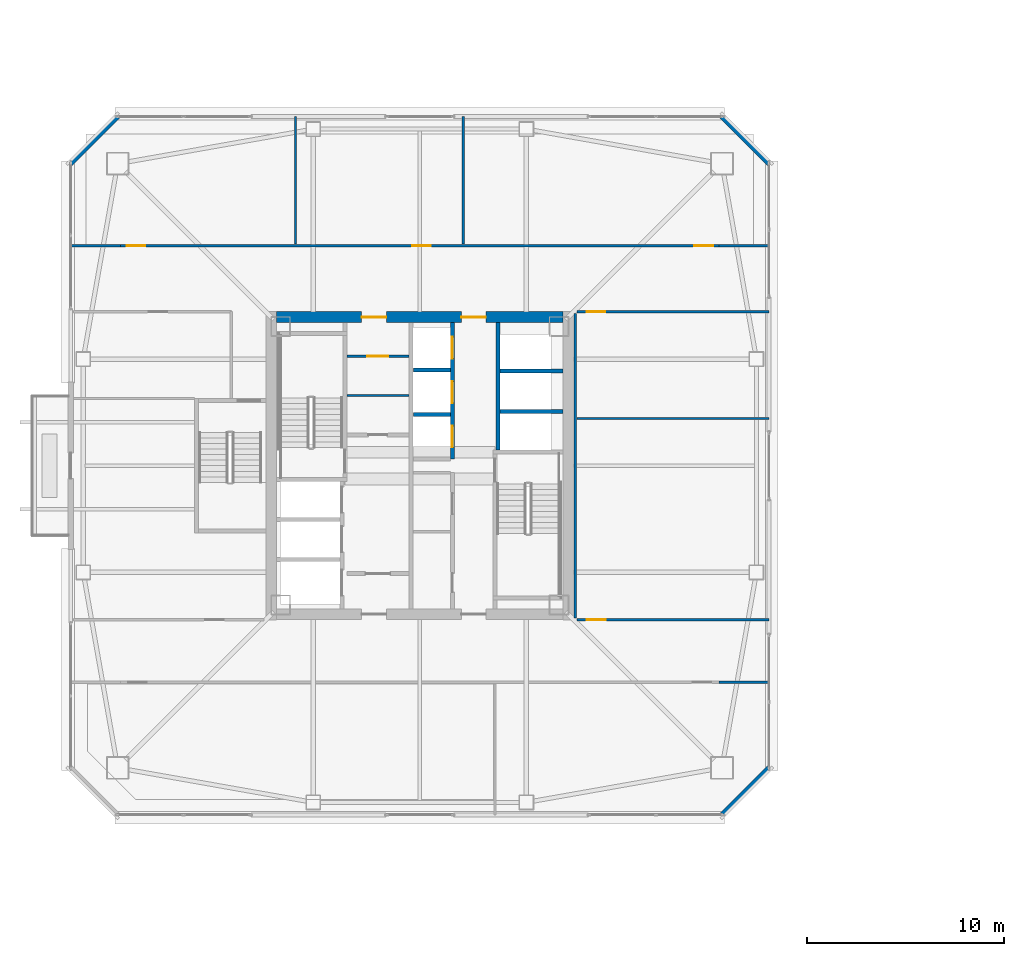
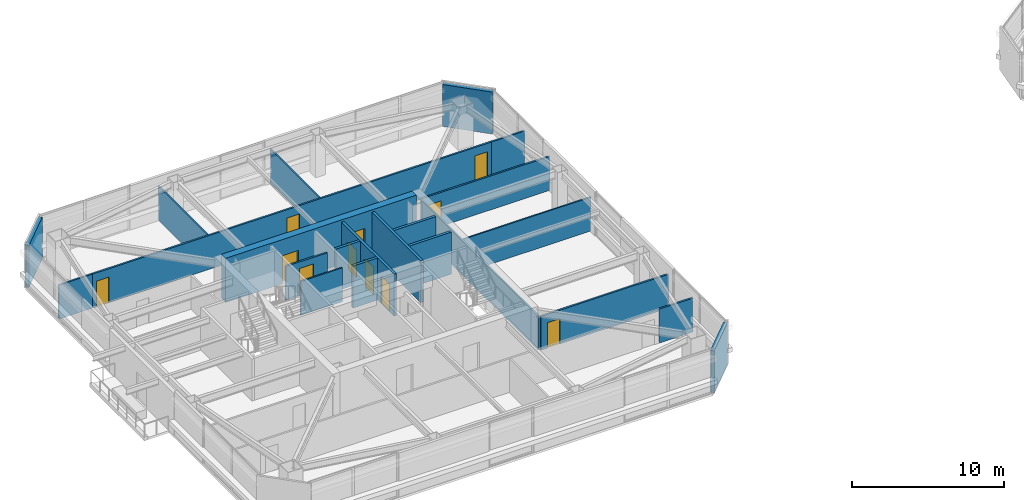
# One storey, part 34 of 43: 22 walls, 11 doors, 11 openings.
"""IFC4 building model written with IfcOpenShell, lengths in metres."""

from ifc_helpers import new_model, si_unit, direction, frame, frame_2d, origin, place, context, subcontext, project, spatial, rectangle, extrude, material, layer, layer_set, type_object, element, fill, save


model = new_model("IFC4")

# Units and contexts
model_context = context("Model", 3, precision=1e-05, world=origin(), true_north=direction((0.0, 1.0)))
body_context = subcontext(model_context, "Body", "Model", "MODEL_VIEW")
ifc_project = project(units=[si_unit("LENGTHUNIT", "METRE"), si_unit("AREAUNIT", "SQUARE_METRE"), si_unit("VOLUMEUNIT", "CUBIC_METRE"), si_unit("PLANEANGLEUNIT", "RADIAN"), si_unit("MASSUNIT", "GRAM", prefix="KILO")], contexts=[model_context])

# Site, building, storey
site_placement = place(None, origin())
site = spatial("IfcSite", under=ifc_project, at=site_placement, CompositionType="ELEMENT")
building_placement = place(site_placement, origin())
building = spatial("IfcBuilding", under=site, at=building_placement, Name="Tashvorn Skyway Center", CompositionType="ELEMENT")
storey_placement = place(building_placement, frame((0.0, 0.0, 185.39990234375)))
storey = spatial("IfcBuildingStorey", under=building, at=storey_placement, Name="L50", CompositionType="ELEMENT", Elevation=185.39990234375)

# Wall, openings, doors
ifc_material_1 = material(Name="Concrete C60/75", Category="concrete")
ifc_layer_1 = layer(ifc_material_1, 0.550048828125)
ifc_layer_set_1 = layer_set([ifc_layer_1], Name="Concrete C60/75")
wall_type_1 = type_object("IfcWallType", Name="WALL-CORE-550", PredefinedType="SHEAR", material=ifc_layer_set_1)
wall_1_placement = place(storey_placement, frame((34.75, 39.52490234375, 0.0), z_axis=(0.0, 0.0, 1.0), x_axis=(1.0, 0.0, 0.0)))
wall_1 = element("IfcWall", 1, at=wall_1_placement, inside=storey, type_object=wall_type_1, Name="Tower 1 L50 North Core Shear Wall", PredefinedType="SHEAR", context=body_context, shape_type="SweptSolid", body=[
    extrude(rectangle(XDim=14.5, YDim=0.550048828125, at=frame_2d((7.25, 0.0))), origin(), (0.0, 0.0, 1.0), 3.550048828125),
])
opening_1_placement = place(wall_1_placement, frame((4.300048828125, 0.0, 0.0)))
opening_1 = element("IfcOpeningElement", 2, at=opening_1_placement, cuts=wall_1, Name="Opening D-FFL-1250", PredefinedType="OPENING", context=body_context, shape_type="SweptSolid", body=[
    extrude(rectangle(XDim=1.25, YDim=2.25, at=frame_2d((0.625, 1.125))), frame((0.0, 0.284912109375, 0.0), z_axis=(0.0, -1.0, 0.0), x_axis=(1.0, 0.0, 0.0)), (0.0, 0.0, 1.0), 0.570068359375),
])
opening_2_placement = place(wall_1_placement, frame((9.35009765625, 0.0, 0.0)))
opening_2 = element("IfcOpeningElement", 3, at=opening_2_placement, cuts=wall_1, Name="Opening D-FFL-1250", PredefinedType="OPENING", context=body_context, shape_type="SweptSolid", body=[
    extrude(rectangle(XDim=1.25, YDim=2.25, at=frame_2d((0.625, 1.125))), frame((0.0, 0.284912109375, 0.0), z_axis=(0.0, -1.0, 0.0), x_axis=(1.0, 0.0, 0.0)), (0.0, 0.0, 1.0), 0.570068359375),
])
ifc_material_2 = material(Name="Hollow galvanized steel fire door assembly", Category="steel")
door_type_1 = type_object("IfcDoorType", Name="DOOR-FFL-1250", OperationType="NOTDEFINED", PredefinedType="DOOR", material=ifc_material_2)
door_1_placement = place(opening_1_placement, origin())
door_1 = element("IfcDoor", 4, at=door_1_placement, inside=storey, type_object=door_type_1, Name="Tower 1 L50 Core North Service Lobby Door", OperationType="SINGLE_SWING_LEFT", OverallHeight=2.25, OverallWidth=1.25, PredefinedType="DOOR", context=body_context, shape_type="SweptSolid", body=[
    extrude(rectangle(XDim=1.25, YDim=2.25, at=frame_2d((0.625, 1.125))), frame((0.0, 0.02490234375, 0.0), z_axis=(0.0, -1.0, 0.0), x_axis=(1.0, 0.0, 0.0)), (0.0, 0.0, 1.0), 0.050048828125),
])
fill(opening_1, door_1)
door_2_placement = place(opening_2_placement, origin())
door_2 = element("IfcDoor", 5, at=door_2_placement, inside=storey, type_object=door_type_1, Name="Tower 1 L50 Core North Lift Lobby Door", OperationType="SINGLE_SWING_RIGHT", OverallHeight=2.25, OverallWidth=1.25, PredefinedType="DOOR", context=body_context, shape_type="SweptSolid", body=[
    extrude(rectangle(XDim=1.25, YDim=2.25, at=frame_2d((0.625, 1.125))), frame((0.0, 0.02490234375, 0.0), z_axis=(0.0, -1.0, 0.0), x_axis=(1.0, 0.0, 0.0)), (0.0, 0.0, 1.0), 0.050048828125),
])
fill(opening_2, door_2)

# Walls
ifc_material_3 = material(Name="Precast concrete C40/50", Category="concrete")
ifc_layer_2 = layer(ifc_material_3, 0.280029296875)
ifc_layer_set_2 = layer_set([ifc_layer_2], Name="Precast concrete C40/50")
wall_type_2 = type_object("IfcWallType", Name="WALL-EXT-280", PredefinedType="SOLIDWALL", material=ifc_layer_set_2)
for number, where, z_axis, x_axis, name in (
    (6, (24.300048828125, 47.300048828125, 0.0), (0.0, 0.0, 1.0), (0.707106781187, 0.707106781187, 0.0), "Tower 1 L50 NW Precast Chamfer Wall"),
    (7, (57.300048828125, 49.699951171875, 0.0), (0.0, 0.0, 1.0), (0.707106781187, -0.707106781187, 0.0), "Tower 1 L50 NE Precast Chamfer Wall"),
    (8, (59.699951171875, 16.699951171875, 0.0), (0.0, 0.0, 1.0), (-0.707106781187, -0.707106781187, 0.0), "Tower 1 L50 SE Precast Chamfer Wall"),
):
    element("IfcWall", number, at=place(storey_placement, frame(where, z_axis=z_axis, x_axis=x_axis)), inside=storey, type_object=wall_type_2, Name=name, PredefinedType="SOLIDWALL", context=body_context, shape_type="SweptSolid", body=[
        extrude(rectangle(XDim=3.39404296875, YDim=0.280029296875, at=frame_2d((1.697021484375, 0.0))), origin(), (0.0, 0.0, 1.0), 3.3701171875),
    ])
ifc_material_4 = material(Name="Gypsum board on cold-formed steel stud framing", Category="steel")
ifc_layer_3 = layer(ifc_material_4, 0.110107421875)
ifc_layer_set_3 = layer_set([ifc_layer_3], Name="Gypsum board on cold-formed steel stud framing")
wall_type_3 = type_object("IfcWallType", Name="WALL-PART-110", PredefinedType="PARTITIONING", material=ifc_layer_set_3)
for number, where, z_axis, x_axis, name in (
    (9, (35.699951171875, 43.22998046875, 0.0), (0.0, 0.0, 1.0), (0.0, 1.0, 0.0), "Tower 1 L50 North Suite Partition 1"),
    (10, (44.199951171875, 43.22998046875, 0.0), (0.0, 0.0, 1.0), (0.0, 1.0, 0.0), "Tower 1 L50 North Suite Partition 2"),
):
    element("IfcWall", number, at=place(storey_placement, frame(where, z_axis=z_axis, x_axis=x_axis)), inside=storey, type_object=wall_type_3, Name=name, PredefinedType="PARTITIONING", context=body_context, shape_type="SweptSolid", body=[
        extrude(rectangle(XDim=6.449951171875, YDim=0.110107421875, at=frame_2d((3.22509765625, 0.0))), origin(), (0.0, 0.0, 1.0), 2.72314453125),
    ])
wall_2_placement = place(storey_placement, frame((49.9599609375, 34.39990234375, 0.0), z_axis=(0.0, 0.0, 1.0), x_axis=(1.0, 0.0, 0.0)))
element("IfcWall", 11, at=wall_2_placement, inside=storey, type_object=wall_type_3, Name="Tower 1 L50 East Mid Partition", PredefinedType="PARTITIONING", context=body_context, shape_type="SweptSolid", body=[
    extrude(rectangle(XDim=9.719970703125, YDim=0.110107421875, at=frame_2d((4.85986328125, 0.0))), origin(), (0.0, 0.0, 1.0), 2.72314453125),
])

# Wall, openings, doors
ifc_layer_4 = layer(ifc_material_4, 0.135009765625)
ifc_layer_set_4 = layer_set([ifc_layer_4], Name="Gypsum board on cold-formed steel stud framing")
wall_type_4 = type_object("IfcWallType", Name="WALL-PART-135", PredefinedType="PARTITIONING", material=ifc_layer_set_4)
wall_3_placement = place(storey_placement, frame((26.85009765625, 43.14990234375, 0.0), z_axis=(0.0, 0.0, 1.0), x_axis=(1.0, 0.0, 0.0)))
wall_3 = element("IfcWall", 12, at=wall_3_placement, inside=storey, type_object=wall_type_4, Name="Tower 1 L50 North Suite Wall", PredefinedType="PARTITIONING", context=body_context, shape_type="SweptSolid", body=[
    extrude(rectangle(XDim=30.2998046875, YDim=0.135009765625, at=frame_2d((15.14990234375, 0.0))), origin(), (0.0, 0.0, 1.0), 2.72314453125),
])
opening_3_placement = place(wall_3_placement, frame((0.300048828125, 0.0, 0.0)))
opening_3 = element("IfcOpeningElement", 13, at=opening_3_placement, cuts=wall_3, Name="Opening D-INT-950", PredefinedType="OPENING", context=body_context, shape_type="SweptSolid", body=[
    extrude(rectangle(XDim=0.949951171875, YDim=2.050048828125, at=frame_2d((0.47509765625, 1.02490234375))), frame((0.0, 0.077392578125, 0.0), z_axis=(0.0, -1.0, 0.0), x_axis=(1.0, 0.0, 0.0)), (0.0, 0.0, 1.0), 0.155029296875),
])
opening_4_placement = place(wall_3_placement, frame((14.7626953125, 0.0, 0.0)))
opening_4 = element("IfcOpeningElement", 14, at=opening_4_placement, cuts=wall_3, Name="Opening D-INT-950", PredefinedType="OPENING", context=body_context, shape_type="SweptSolid", body=[
    extrude(rectangle(XDim=0.949951171875, YDim=2.050048828125, at=frame_2d((0.47509765625, 1.02490234375))), frame((0.0, 0.077392578125, 0.0), z_axis=(0.0, -1.0, 0.0), x_axis=(1.0, 0.0, 0.0)), (0.0, 0.0, 1.0), 0.155029296875),
])
opening_5_placement = place(wall_3_placement, frame((29.050048828125, 0.0, 0.0)))
opening_5 = element("IfcOpeningElement", 15, at=opening_5_placement, cuts=wall_3, Name="Opening D-INT-950", PredefinedType="OPENING", context=body_context, shape_type="SweptSolid", body=[
    extrude(rectangle(XDim=0.949951171875, YDim=2.050048828125, at=frame_2d((0.47509765625, 1.02490234375))), frame((0.0, 0.077392578125, 0.0), z_axis=(0.0, -1.0, 0.0), x_axis=(1.0, 0.0, 0.0)), (0.0, 0.0, 1.0), 0.155029296875),
])
ifc_material_5 = material(Name="Solid-core architectural oak veneer door")
door_type_2 = type_object("IfcDoorType", Name="DOOR-INT-950", OperationType="NOTDEFINED", PredefinedType="DOOR", material=ifc_material_5)
door_3_placement = place(opening_3_placement, origin())
door_3 = element("IfcDoor", 16, at=door_3_placement, inside=storey, type_object=door_type_2, Name="Tower 1 L50 Executive Study Lounge Door", OperationType="SINGLE_SWING_LEFT", OverallHeight=2.050048828125, OverallWidth=0.949951171875, PredefinedType="DOOR", context=body_context, shape_type="SweptSolid", body=[
    extrude(rectangle(XDim=0.949951171875, YDim=2.050048828125, at=frame_2d((0.47509765625, 1.02490234375))), frame((0.0, 0.02490234375, 0.0), z_axis=(0.0, -1.0, 0.0), x_axis=(1.0, 0.0, 0.0)), (0.0, 0.0, 1.0), 0.050048828125),
])
fill(opening_3, door_3)
door_4_placement = place(opening_4_placement, origin())
door_4 = element("IfcDoor", 17, at=door_4_placement, inside=storey, type_object=door_type_2, Name="Tower 1 L50 Executive Study Lounge Door", OperationType="SINGLE_SWING_RIGHT", OverallHeight=2.050048828125, OverallWidth=0.949951171875, PredefinedType="DOOR", context=body_context, shape_type="SweptSolid", body=[
    extrude(rectangle(XDim=0.949951171875, YDim=2.050048828125, at=frame_2d((0.47509765625, 1.02490234375))), frame((0.0, 0.02490234375, 0.0), z_axis=(0.0, -1.0, 0.0), x_axis=(1.0, 0.0, 0.0)), (0.0, 0.0, 1.0), 0.050048828125),
])
fill(opening_4, door_4)
door_5_placement = place(opening_5_placement, origin())
door_5 = element("IfcDoor", 18, at=door_5_placement, inside=storey, type_object=door_type_2, Name="Tower 1 L50 Staff Fitness Club Door", OperationType="SINGLE_SWING_LEFT", OverallHeight=2.050048828125, OverallWidth=0.949951171875, PredefinedType="DOOR", context=body_context, shape_type="SweptSolid", body=[
    extrude(rectangle(XDim=0.949951171875, YDim=2.050048828125, at=frame_2d((0.47509765625, 1.02490234375))), frame((0.0, 0.02490234375, 0.0), z_axis=(0.0, -1.0, 0.0), x_axis=(1.0, 0.0, 0.0)), (0.0, 0.0, 1.0), 0.050048828125),
])
fill(opening_5, door_5)

# Walls
for number, where, z_axis, x_axis, name in (
    (19, (24.320068359375, 43.14990234375, 0.0), (0.0, 0.0, 1.0), (1.0, 0.0, 0.0), "Tower 1 L50 North-West Suite South Wall"),
    (20, (57.14990234375, 43.14990234375, 0.0), (0.0, 0.0, 1.0), (1.0, 0.0, 0.0), "Tower 1 L50 North-East Suite South Wall"),
    (21, (57.14990234375, 21.030029296875, 0.0), (0.0, 0.0, 1.0), (1.0, 0.0, 0.0), "Tower 1 L50 South-East Suite North Wall"),
):
    element("IfcWall", number, at=place(storey_placement, frame(where, z_axis=z_axis, x_axis=x_axis)), inside=storey, type_object=wall_type_4, Name=name, PredefinedType="PARTITIONING", context=body_context, shape_type="SweptSolid", body=[
        extrude(rectangle(XDim=2.530029296875, YDim=0.135009765625, at=frame_2d((1.26513671875, 0.0))), origin(), (0.0, 0.0, 1.0), 2.72314453125),
    ])
wall_4_placement = place(storey_placement, frame((49.8798828125, 39.719970703125, 0.0), z_axis=(0.0, 0.0, 1.0), x_axis=(0.0, -1.0, 0.0)))
element("IfcWall", 22, at=wall_4_placement, inside=storey, type_object=wall_type_4, Name="Tower 1 L50 East Inner Suite Wall", PredefinedType="PARTITIONING", context=body_context, shape_type="SweptSolid", body=[
    extrude(rectangle(XDim=15.43994140625, YDim=0.135009765625, at=frame_2d((7.719970703125, 0.0))), origin(), (0.0, 0.0, 1.0), 2.72314453125),
])

# Wall, opening, door
wall_5_placement = place(storey_placement, frame((59.679931640625, 39.800048828125, 0.0), z_axis=(0.0, 0.0, 1.0), x_axis=(-1.0, 0.0, 0.0)))
wall_5 = element("IfcWall", 23, at=wall_5_placement, inside=storey, type_object=wall_type_4, Name="Tower 1 L50 East Suite North Wall", PredefinedType="PARTITIONING", context=body_context, shape_type="SweptSolid", body=[
    extrude(rectangle(XDim=9.719970703125, YDim=0.135009765625, at=frame_2d((4.85986328125, 0.0))), origin(), (0.0, 0.0, 1.0), 2.72314453125),
])
opening_6_placement = place(wall_5_placement, frame((8.280029296875, 0.0, 0.0)))
opening_6 = element("IfcOpeningElement", 24, at=opening_6_placement, cuts=wall_5, Name="Opening D-INT-950", PredefinedType="OPENING", context=body_context, shape_type="SweptSolid", body=[
    extrude(rectangle(XDim=0.949951171875, YDim=2.050048828125, at=frame_2d((0.47509765625, 1.02490234375))), frame((0.0, 0.077392578125, 0.0), z_axis=(0.0, -1.0, 0.0), x_axis=(1.0, 0.0, 0.0)), (0.0, 0.0, 1.0), 0.155029296875),
])
door_6_placement = place(opening_6_placement, origin())
door_6 = element("IfcDoor", 25, at=door_6_placement, inside=storey, type_object=door_type_2, Name="Tower 1 L50 Open Plan Office Door", OperationType="SINGLE_SWING_RIGHT", OverallHeight=2.050048828125, OverallWidth=0.949951171875, PredefinedType="DOOR", context=body_context, shape_type="SweptSolid", body=[
    extrude(rectangle(XDim=0.949951171875, YDim=2.050048828125, at=frame_2d((0.47509765625, 1.02490234375))), frame((0.0, 0.02490234375, 0.0), z_axis=(0.0, -1.0, 0.0), x_axis=(1.0, 0.0, 0.0)), (0.0, 0.0, 1.0), 0.050048828125),
])
fill(opening_6, door_6)

wall_6_placement = place(storey_placement, frame((49.9599609375, 24.199951171875, 0.0), z_axis=(0.0, 0.0, 1.0), x_axis=(1.0, 0.0, 0.0)))
wall_6 = element("IfcWall", 26, at=wall_6_placement, inside=storey, type_object=wall_type_4, Name="Tower 1 L50 East Suite South Wall", PredefinedType="PARTITIONING", context=body_context, shape_type="SweptSolid", body=[
    extrude(rectangle(XDim=9.719970703125, YDim=0.135009765625, at=frame_2d((4.85986328125, 0.0))), origin(), (0.0, 0.0, 1.0), 2.72314453125),
])
opening_7_placement = place(wall_6_placement, frame((0.5, 0.0, 0.0)))
opening_7 = element("IfcOpeningElement", 27, at=opening_7_placement, cuts=wall_6, Name="Opening D-INT-950", PredefinedType="OPENING", context=body_context, shape_type="SweptSolid", body=[
    extrude(rectangle(XDim=0.949951171875, YDim=2.050048828125, at=frame_2d((0.47509765625, 1.02490234375))), frame((0.0, 0.077392578125, 0.0), z_axis=(0.0, -1.0, 0.0), x_axis=(1.0, 0.0, 0.0)), (0.0, 0.0, 1.0), 0.155029296875),
])
door_7_placement = place(opening_7_placement, origin())
door_7 = element("IfcDoor", 28, at=door_7_placement, inside=storey, type_object=door_type_2, Name="Tower 1 L50 Public Restroom Door", OperationType="SINGLE_SWING_LEFT", OverallHeight=2.050048828125, OverallWidth=0.949951171875, PredefinedType="DOOR", context=body_context, shape_type="SweptSolid", body=[
    extrude(rectangle(XDim=0.949951171875, YDim=2.050048828125, at=frame_2d((0.47509765625, 1.02490234375))), frame((0.0, 0.02490234375, 0.0), z_axis=(0.0, -1.0, 0.0), x_axis=(1.0, 0.0, 0.0)), (0.0, 0.0, 1.0), 0.050048828125),
])
fill(opening_7, door_7)

# Wall
ifc_layer_5 = layer(ifc_material_4, 0.110107421875)
ifc_layer_set_5 = layer_set([ifc_layer_5], Name="Gypsum board on cold-formed steel stud framing")
wall_type_5 = type_object("IfcWallType", Name="WALL-RATED-110", PredefinedType="PARTITIONING", material=ifc_layer_set_5)
wall_7_placement = place(storey_placement, frame((38.300048828125, 35.550048828125, 0.0), z_axis=(0.0, 0.0, 1.0), x_axis=(1.0, 0.0, 0.0)))
element("IfcWall", 29, at=wall_7_placement, inside=storey, type_object=wall_type_5, Name="Tower 1 L50 Core Transverse Wall", PredefinedType="PARTITIONING", context=body_context, shape_type="SweptSolid", body=[
    extrude(rectangle(XDim=3.14990234375, YDim=0.110107421875, at=frame_2d((1.574951171875, 0.0))), origin(), (0.0, 0.0, 1.0), 2.72314453125),
])

# Wall, opening, door
ifc_layer_6 = layer(ifc_material_4, 0.135009765625)
ifc_layer_set_6 = layer_set([ifc_layer_6], Name="Gypsum board on cold-formed steel stud framing")
wall_type_6 = type_object("IfcWallType", Name="WALL-RATED-135", PredefinedType="PARTITIONING", material=ifc_layer_set_6)
wall_8_placement = place(storey_placement, frame((38.300048828125, 37.550048828125, 0.0), z_axis=(0.0, 0.0, 1.0), x_axis=(1.0, 0.0, 0.0)))
wall_8 = element("IfcWall", 30, at=wall_8_placement, inside=storey, type_object=wall_type_6, Name="Tower 1 L50 Core Service Lobby Wall", PredefinedType="PARTITIONING", context=body_context, shape_type="SweptSolid", body=[
    extrude(rectangle(XDim=3.14990234375, YDim=0.135009765625, at=frame_2d((1.574951171875, 0.0))), origin(), (0.0, 0.0, 1.0), 2.72314453125),
])
opening_8_placement = place(wall_8_placement, frame((1.050048828125, 0.0, 0.0)))
opening_8 = element("IfcOpeningElement", 31, at=opening_8_placement, cuts=wall_8, Name="Opening D-RT-1050", PredefinedType="OPENING", context=body_context, shape_type="SweptSolid", body=[
    extrude(rectangle(XDim=1.050048828125, YDim=2.199951171875, at=frame_2d((0.52490234375, 1.10009765625))), frame((0.0, 0.077392578125, 0.0), z_axis=(0.0, -1.0, 0.0), x_axis=(1.0, 0.0, 0.0)), (0.0, 0.0, 1.0), 0.155029296875),
])
door_type_3 = type_object("IfcDoorType", Name="DOOR-RATED-1050", OperationType="NOTDEFINED", PredefinedType="DOOR", material=ifc_material_2)
door_8_placement = place(opening_8_placement, origin())
door_8 = element("IfcDoor", 32, at=door_8_placement, inside=storey, type_object=door_type_3, Name="Tower 1 L50 Core Accessible WC Door", OperationType="SINGLE_SWING_RIGHT", OverallHeight=2.199951171875, OverallWidth=1.050048828125, PredefinedType="DOOR", context=body_context, shape_type="SweptSolid", body=[
    extrude(rectangle(XDim=1.050048828125, YDim=2.199951171875, at=frame_2d((0.52490234375, 1.10009765625))), frame((0.0, 0.02490234375, 0.0), z_axis=(0.0, -1.0, 0.0), x_axis=(1.0, 0.0, 0.0)), (0.0, 0.0, 1.0), 0.050048828125),
])
fill(opening_8, door_8)

# Walls
ifc_material_6 = material(Name="Concrete C40/50", Category="concrete")
ifc_layer_7 = layer(ifc_material_6, 0.199951171875)
ifc_layer_set_7 = layer_set([ifc_layer_7], Name="Concrete C40/50")
wall_type_7 = type_object("IfcWallType", Name="WALL-SHAFT-200", PredefinedType="SOLIDWALL", material=ifc_layer_set_7)
for number, where, z_axis, x_axis, name in (
    (33, (46.050048828125, 34.75, 0.0), (0.0, 0.0, 1.0), (1.0, 0.0, 0.0), "Tower 1 L50 High-Rise Shaft Divider"),
    (34, (46.050048828125, 36.800048828125, 0.0), (0.0, 0.0, 1.0), (1.0, 0.0, 0.0), "Tower 1 L50 High-Rise Shaft Divider"),
):
    element("IfcWall", number, at=place(storey_placement, frame(where, z_axis=z_axis, x_axis=x_axis)), inside=storey, type_object=wall_type_7, Name=name, PredefinedType="SOLIDWALL", context=body_context, shape_type="SweptSolid", body=[
        extrude(rectangle(XDim=3.199951171875, YDim=0.199951171875, at=frame_2d((1.60009765625, 0.0))), origin(), (0.0, 0.0, 1.0), 3.3701171875),
    ])

# Wall, openings, doors
wall_9_placement = place(storey_placement, frame((43.64990234375, 32.35009765625, 0.0), z_axis=(0.0, 0.0, 1.0), x_axis=(0.0, 1.0, 0.0)))
wall_9 = element("IfcWall", 35, at=wall_9_placement, inside=storey, type_object=wall_type_7, Name="Tower 1 L50 Mid-Rise Core Wall", PredefinedType="SOLIDWALL", context=body_context, shape_type="SweptSolid", body=[
    extrude(rectangle(XDim=6.89990234375, YDim=0.199951171875, at=frame_2d((3.449951171875, 0.0))), origin(), (0.0, 0.0, 1.0), 3.3701171875),
])
opening_9_placement = place(wall_9_placement, frame((0.574951171875, 0.0, 0.0)))
opening_9 = element("IfcOpeningElement", 36, at=opening_9_placement, cuts=wall_9, Name="Opening LD-MR-T1-1-L50", PredefinedType="OPENING", context=body_context, shape_type="SweptSolid", body=[
    extrude(rectangle(XDim=1.10009765625, YDim=2.199951171875, at=frame_2d((0.550048828125, 1.10009765625))), frame((0.0, 0.10986328125, 0.0), z_axis=(0.0, -1.0, 0.0), x_axis=(1.0, 0.0, 0.0)), (0.0, 0.0, 1.0), 0.219970703125),
])
opening_10_placement = place(wall_9_placement, frame((2.824951171875, 0.0, 0.0)))
opening_10 = element("IfcOpeningElement", 37, at=opening_10_placement, cuts=wall_9, Name="Opening LD-MR-T1-2-L50", PredefinedType="OPENING", context=body_context, shape_type="SweptSolid", body=[
    extrude(rectangle(XDim=1.10009765625, YDim=2.199951171875, at=frame_2d((0.550048828125, 1.10009765625))), frame((0.0, 0.10986328125, 0.0), z_axis=(0.0, -1.0, 0.0), x_axis=(1.0, 0.0, 0.0)), (0.0, 0.0, 1.0), 0.219970703125),
])
opening_11_placement = place(wall_9_placement, frame((5.074951171875, 0.0, 0.0)))
opening_11 = element("IfcOpeningElement", 38, at=opening_11_placement, cuts=wall_9, Name="Opening LD-MR-T1-3-L50", PredefinedType="OPENING", context=body_context, shape_type="SweptSolid", body=[
    extrude(rectangle(XDim=1.10009765625, YDim=2.199951171875, at=frame_2d((0.550048828125, 1.10009765625))), frame((0.0, 0.10986328125, 0.0), z_axis=(0.0, -1.0, 0.0), x_axis=(1.0, 0.0, 0.0)), (0.0, 0.0, 1.0), 0.219970703125),
])
ifc_material_7 = material(Name="Stainless steel landing door", Category="steel")
door_type_4 = type_object("IfcDoorType", Name="DOOR-LIFT-1100", OperationType="SLIDING_TO_LEFT", PredefinedType="DOOR", material=ifc_material_7)
door_9_placement = place(opening_9_placement, origin())
door_9 = element("IfcDoor", 39, at=door_9_placement, inside=storey, type_object=door_type_4, Name="Lift MR-T1-1 L50 Landing Door", OperationType="SLIDING_TO_LEFT", OverallHeight=2.199951171875, OverallWidth=1.10009765625, PredefinedType="DOOR", context=body_context, shape_type="SweptSolid", body=[
    extrude(rectangle(XDim=1.10009765625, YDim=2.199951171875, at=frame_2d((0.550048828125, 1.10009765625))), frame((0.0, 0.02490234375, 0.0), z_axis=(0.0, -1.0, 0.0), x_axis=(1.0, 0.0, 0.0)), (0.0, 0.0, 1.0), 0.050048828125),
])
fill(opening_9, door_9)
door_10_placement = place(opening_10_placement, origin())
door_10 = element("IfcDoor", 40, at=door_10_placement, inside=storey, type_object=door_type_4, Name="Lift MR-T1-2 L50 Landing Door", OperationType="SLIDING_TO_LEFT", OverallHeight=2.199951171875, OverallWidth=1.10009765625, PredefinedType="DOOR", context=body_context, shape_type="SweptSolid", body=[
    extrude(rectangle(XDim=1.10009765625, YDim=2.199951171875, at=frame_2d((0.550048828125, 1.10009765625))), frame((0.0, 0.02490234375, 0.0), z_axis=(0.0, -1.0, 0.0), x_axis=(1.0, 0.0, 0.0)), (0.0, 0.0, 1.0), 0.050048828125),
])
fill(opening_10, door_10)
door_11_placement = place(opening_11_placement, origin())
door_11 = element("IfcDoor", 41, at=door_11_placement, inside=storey, type_object=door_type_4, Name="Lift MR-T1-3 L50 Landing Door", OperationType="SLIDING_TO_LEFT", OverallHeight=2.199951171875, OverallWidth=1.10009765625, PredefinedType="DOOR", context=body_context, shape_type="SweptSolid", body=[
    extrude(rectangle(XDim=1.10009765625, YDim=2.199951171875, at=frame_2d((0.550048828125, 1.10009765625))), frame((0.0, 0.02490234375, 0.0), z_axis=(0.0, -1.0, 0.0), x_axis=(1.0, 0.0, 0.0)), (0.0, 0.0, 1.0), 0.050048828125),
])
fill(opening_11, door_11)

# Walls
for number, where, z_axis, x_axis, name in (
    (42, (41.669921875, 34.60009765625, 0.0), (0.0, 0.0, 1.0), (1.0, 0.0, 0.0), "Tower 1 L50 Mid-Rise Shaft Divider"),
    (43, (41.669921875, 36.85009765625, 0.0), (0.0, 0.0, 1.0), (1.0, 0.0, 0.0), "Tower 1 L50 Mid-Rise Shaft Divider"),
):
    element("IfcWall", number, at=place(storey_placement, frame(where, z_axis=z_axis, x_axis=x_axis)), inside=storey, type_object=wall_type_7, Name=name, PredefinedType="SOLIDWALL", context=body_context, shape_type="SweptSolid", body=[
        extrude(rectangle(XDim=1.880126953125, YDim=0.199951171875, at=frame_2d((0.93994140625, 0.0))), origin(), (0.0, 0.0, 1.0), 3.3701171875),
    ])
ifc_layer_8 = layer(ifc_material_6, 0.199951171875)
ifc_layer_set_8 = layer_set([ifc_layer_8], Name="Concrete C40/50")
wall_type_8 = type_object("IfcWallType", Name="WALL-STSHF-200", PredefinedType="SHEAR", material=ifc_layer_set_8)
wall_10_placement = place(storey_placement, frame((45.949951171875, 39.25, 0.0), z_axis=(0.0, 0.0, 1.0), x_axis=(0.0, -1.0, 0.0)))
element("IfcWall", 44, at=wall_10_placement, inside=storey, type_object=wall_type_8, Name="Tower 1 L50 High-Rise Lift Shaft Front Wall", PredefinedType="SHEAR", context=body_context, shape_type="SweptSolid", body=[
    extrude(rectangle(XDim=6.449951171875, YDim=0.199951171875, at=frame_2d((3.22509765625, 0.0))), origin(), (0.0, 0.0, 1.0), 3.3701171875),
])

save(model, "model.ifc")
